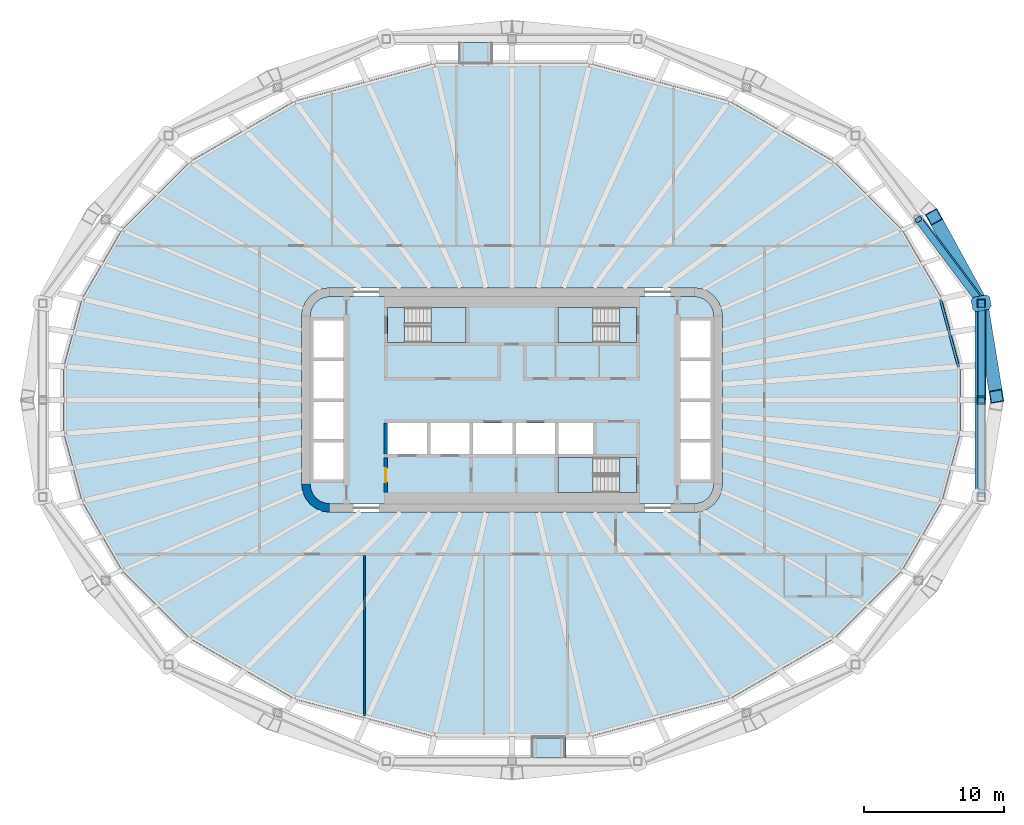
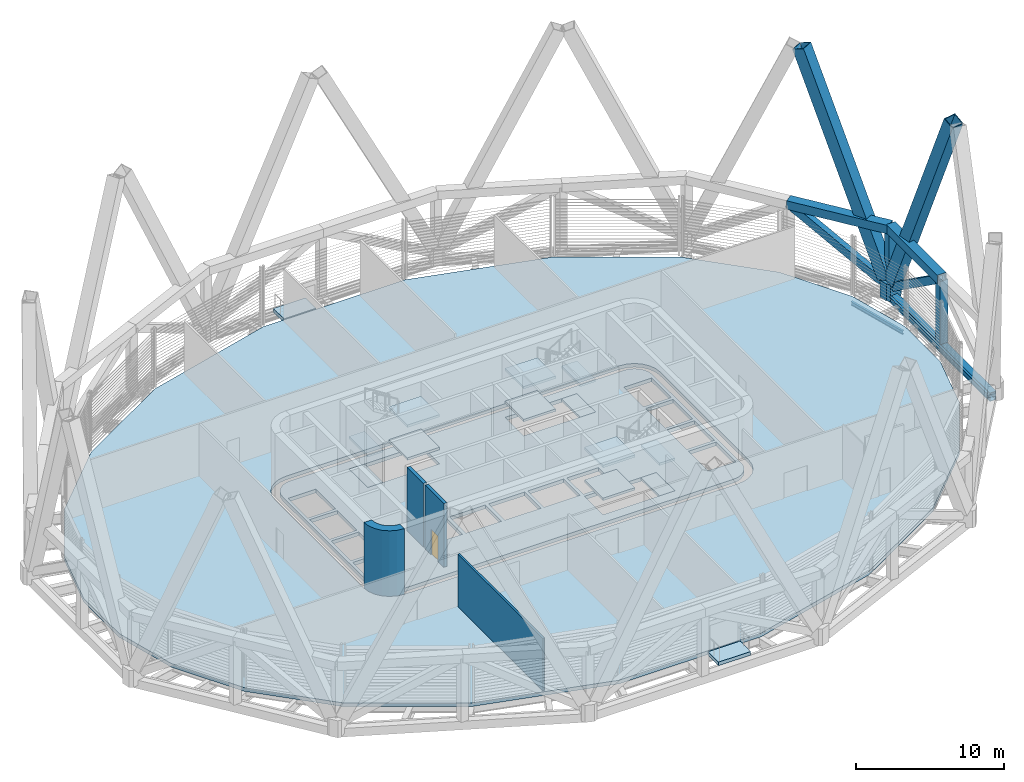
# One storey, part 5 of 18: 16 slabs, 9 members, 4 walls, 3 beams, 1 door, 1 opening, 3 elements without a shape of their own.
"""IFC4 building model written with IfcOpenShell, lengths in metres."""

from ifc_helpers import new_model, si_unit, direction, frame, frame_2d, origin, origin_2d, place, context, subcontext, project, spatial, polyline, rectangle, hollow_rectangle, i_section, outline, extrude, material, layer, layer_set, material_profile, profile_set, type_object, element, fill, aggregate, save


model = new_model("IFC4")

# Units and contexts
model_context = context("Model", 3, precision=1e-05, world=origin(), true_north=direction((0.0, 1.0)))
body_context = subcontext(model_context, "Body", "Model", "MODEL_VIEW")
ifc_project = project(units=[si_unit("LENGTHUNIT", "METRE"), si_unit("AREAUNIT", "SQUARE_METRE"), si_unit("VOLUMEUNIT", "CUBIC_METRE"), si_unit("PLANEANGLEUNIT", "RADIAN"), si_unit("MASSUNIT", "GRAM", prefix="KILO")], contexts=[model_context])

# Site, building, storey
site_placement = place(None, origin())
site = spatial("IfcSite", under=ifc_project, at=site_placement, CompositionType="ELEMENT")
building_placement = place(site_placement, origin())
building = spatial("IfcBuilding", under=site, at=building_placement, Name="Sahrelin Media Tower", CompositionType="ELEMENT")
storey_placement = place(building_placement, frame((0.0, 0.0, 96.60009765625)))
storey = spatial("IfcBuildingStorey", under=building, at=storey_placement, Name="L18", CompositionType="ELEMENT", Elevation=96.60009765625)

# Members
ifc_material_1 = material(Name="Steel S460", Category="steel")
ifc_material_profile_1 = material_profile(ifc_material_1, hollow_rectangle(XDim=0.699951171875, YDim=0.699951171875, WallThickness=0.044921875, at=origin_2d()), Name="Belt truss chord BC")
ifc_profile_set_1 = profile_set([ifc_material_profile_1], Name="Steel S460")
member_type_1 = type_object("IfcMemberType", Name="Belt truss chord BC", PredefinedType="CHORD", material=ifc_profile_set_1)
member_1_placement = place(storey_placement, frame((33.46923828125, 6.902587890625, 4.89990234375), z_axis=(-0.600031363478, 0.799976476431, 0.0), x_axis=(-0.799976476431, -0.600031363478, 0.0)))
element("IfcMember", 1, at=member_1_placement, inside=storey, type_object=member_type_1, Name="Belt truss member BT03-00-T1", PredefinedType="CHORD", context=body_context, shape_type="SweptSolid", body=[
    extrude(hollow_rectangle(XDim=0.699951171875, YDim=0.699951171875, WallThickness=0.044921875, at=origin_2d()), origin(), (0.0, 0.0, 1.0), 7.47265625),
])
member_2_placement = place(storey_placement, frame((33.46923828125, 0.0, 4.89990234375), z_axis=(0.0, 1.0, 0.0), x_axis=(-1.0, 0.0, 0.0)))
element("IfcMember", 2, at=member_2_placement, inside=storey, type_object=member_type_1, Name="Belt truss member BT03-11-T2", PredefinedType="CHORD", context=body_context, shape_type="SweptSolid", body=[
    extrude(hollow_rectangle(XDim=0.699951171875, YDim=0.699951171875, WallThickness=0.044921875, at=origin_2d()), origin(), (0.0, 0.0, 1.0), 6.902587890625),
])
ifc_material_profile_2 = material_profile(ifc_material_1, hollow_rectangle(XDim=0.5, YDim=0.60009765625, WallThickness=0.030029296875, at=origin_2d()), Name="Belt truss diagonal BD")
ifc_profile_set_2 = profile_set([ifc_material_profile_2], Name="Steel S460")
member_type_2 = type_object("IfcMemberType", Name="Belt truss diagonal BD", PredefinedType="BRACE", material=ifc_profile_set_2)
member_3_placement = place(storey_placement, frame((33.12109375, 7.366943359375, 0.38037109375), z_axis=(-0.501786672946, 0.668969906837, 0.54835152831), x_axis=(-0.799965993785, -0.600045338944, 0.0)))
element("IfcMember", 3, at=member_3_placement, inside=storey, type_object=member_type_2, Name="Belt truss member BT03-00-X1", PredefinedType="BRACE", context=body_context, shape_type="SweptSolid", body=[
    extrude(hollow_rectangle(XDim=0.5, YDim=0.60009765625, WallThickness=0.030029296875, at=origin_2d()), origin(), (0.0, 0.0, 1.0), 8.241943359375),
])
member_4_placement = place(storey_placement, frame((33.46923828125, 6.36669921875, 0.38037109375), z_axis=(0.0, -0.815432871451, 0.578851649525), x_axis=(1.0, 0.0, 0.0)))
element("IfcMember", 4, at=member_4_placement, inside=storey, type_object=member_type_2, Name="Belt truss member BT03-11-X2", PredefinedType="BRACE", context=body_context, shape_type="SweptSolid", body=[
    extrude(hollow_rectangle(XDim=0.5, YDim=0.60009765625, WallThickness=0.030029296875, at=origin_2d()), origin(), (0.0, 0.0, 1.0), 7.807861328125),
])
ifc_material_profile_3 = material_profile(ifc_material_1, hollow_rectangle(XDim=0.60009765625, YDim=0.60009765625, WallThickness=0.034912109375, at=origin_2d()), Name="Belt truss post BP")
ifc_profile_set_3 = profile_set([ifc_material_profile_3], Name="Steel S460")
member_type_3 = type_object("IfcMemberType", Name="Belt truss post BP", PredefinedType="POST", material=ifc_profile_set_3)
member_5_placement = place(storey_placement, frame((33.46923828125, 6.902587890625, 0.699951171875), z_axis=(0.0, 0.0, 1.0), x_axis=(1.0, 0.0, 0.0)))
element("IfcMember", 5, at=member_5_placement, inside=storey, type_object=member_type_3, Name="Belt truss member BT03-00-P0", PredefinedType="POST", context=body_context, shape_type="SweptSolid", body=[
    extrude(hollow_rectangle(XDim=0.60009765625, YDim=0.60009765625, WallThickness=0.034912109375, at=origin_2d()), origin(), (0.0, 0.0, 1.0), 4.199951171875),
])
member_6_placement = place(storey_placement, frame((33.46923828125, 0.0, -0.320068359375), z_axis=(0.0, 0.0, 1.0), x_axis=(1.0, 0.0, 0.0)))
element("IfcMember", 6, at=member_6_placement, inside=storey, type_object=member_type_3, Name="Belt truss member BT03-11-P1", PredefinedType="POST", context=body_context, shape_type="SweptSolid", body=[
    extrude(hollow_rectangle(XDim=0.60009765625, YDim=0.60009765625, WallThickness=0.034912109375, at=origin_2d()), origin(), (0.0, 0.0, 1.0), 5.219970703125),
])
ifc_material_profile_4 = material_profile(ifc_material_1, hollow_rectangle(XDim=0.949951171875, YDim=0.949951171875, WallThickness=0.054931640625, at=origin_2d()), Name="Diagrid diagonal DG2")
ifc_profile_set_4 = profile_set([ifc_material_profile_4], Name="Steel S460")
member_type_4 = type_object("IfcMemberType", Name="Diagrid diagonal DG2", PredefinedType="BRACE", material=ifc_profile_set_4)
member_7_placement = place(storey_placement, frame((33.512939453125, 6.63427734375, 0.699951171875), z_axis=(0.058262838687, -0.357459651471, 0.932109456662), x_axis=(0.986975841171, 0.160868545541, 0.0)))
element("IfcMember", 7, at=member_7_placement, inside=storey, type_object=member_type_4, Name="Diagrid diagonal D03-00", PredefinedType="BRACE", context=body_context, shape_type="SweptSolid", body=[
    extrude(hollow_rectangle(XDim=0.949951171875, YDim=0.949951171875, WallThickness=0.054931640625, at=origin_2d()), origin(), (0.0, 0.0, 1.0), 17.808837890625),
])
member_8_placement = place(storey_placement, frame((33.332763671875, 7.152099609375, 0.699951171875), z_axis=(-0.180665652257, 0.329989397727, 0.926534899225), x_axis=(-0.877144222049, -0.480227043935, 0.0)))
element("IfcMember", 8, at=member_8_placement, inside=storey, type_object=member_type_4, Name="Diagrid diagonal D03-01", PredefinedType="BRACE", context=body_context, shape_type="SweptSolid", body=[
    extrude(hollow_rectangle(XDim=0.949951171875, YDim=0.949951171875, WallThickness=0.054931640625, at=origin_2d()), origin(), (0.0, 0.0, 1.0), 17.916015625),
])
ifc_material_profile_5 = material_profile(ifc_material_1, outline(polyline([(0.47509765625, -0.52490234375), (0.675048828125, -0.324951171875), (0.675048828125, 0.324951171875), (0.47509765625, 0.52490234375), (-0.47509765625, 0.52490234375), (-0.675048828125, 0.324951171875), (-0.675048828125, -0.324951171875), (-0.47509765625, -0.52490234375), (0.47509765625, -0.52490234375)])), Name="Diagrid node block 1350")
ifc_profile_set_5 = profile_set([ifc_material_profile_5], Name="Steel S460")
member_type_5 = type_object("IfcMemberType", Name="Diagrid node block 1350", PredefinedType="USERDEFINED", material=ifc_profile_set_5)
member_9_placement = place(storey_placement, frame((33.46923828125, 6.902587890625, -0.7001953125), z_axis=(0.0, 0.0, 1.0), x_axis=(0.979387770926, 0.201989094163, 0.0)))
element("IfcMember", 9, at=member_9_placement, inside=storey, type_object=member_type_5, Name="Diagrid node N03-00", ObjectType="NODE", PredefinedType="USERDEFINED", context=body_context, shape_type="SweptSolid", body=[
    extrude(outline(polyline([(0.47509765625, -0.52490234375), (0.675048828125, -0.324951171875), (0.675048828125, 0.324951171875), (0.47509765625, 0.52490234375), (-0.47509765625, 0.52490234375), (-0.675048828125, 0.324951171875), (-0.675048828125, -0.324951171875), (-0.47509765625, -0.52490234375), (0.47509765625, -0.52490234375)])), origin(), (0.0, 0.0, 1.0), 1.400146484375),
])

# Beams
ifc_material_profile_6 = material_profile(ifc_material_1, hollow_rectangle(XDim=0.5, YDim=0.699951171875, WallThickness=0.034912109375, at=origin_2d()), Name="Diagrid ring beam RB2")
ifc_profile_set_6 = profile_set([ifc_material_profile_6], Name="Steel S460")
beam_type_1 = type_object("IfcBeamType", Name="Diagrid ring beam RB2", PredefinedType="BEAM", material=ifc_profile_set_6)
beam_1_placement = place(storey_placement, frame((33.46923828125, -6.902587890625, -0.650146484375), z_axis=(0.0, 1.0, 0.0), x_axis=(-1.0, 0.0, 0.0)))
element("IfcBeam", 10, at=beam_1_placement, inside=storey, type_object=beam_type_1, Name="Diagrid ring beam RB03-11", PredefinedType="BEAM", context=body_context, shape_type="SweptSolid", body=[
    extrude(hollow_rectangle(XDim=0.5, YDim=0.699951171875, WallThickness=0.034912109375, at=origin_2d()), origin(), (0.0, 0.0, 1.0), 13.80517578125),
])
ifc_material_2 = material(Name="Steel S355", Category="steel")
ifc_material_profile_7 = material_profile(ifc_material_2, i_section(OverallWidth=0.1650390625, OverallDepth=0.303466796875, WebThickness=0.006103515625, FlangeThickness=0.01025390625, FilletRadius=0.0087890625, at=origin_2d()), Name="UB 305x165x40")
ifc_profile_set_7 = profile_set([ifc_material_profile_7], Name="Steel S355")
beam_type_2 = type_object("IfcBeamType", Name="Edge beam EB2", PredefinedType="BEAM", material=ifc_profile_set_7)
beam_2_placement = place(storey_placement, frame((30.564453125, 7.150390625, -0.451904296875), z_axis=(0.258792983491, -0.9659328091, 0.0), x_axis=(0.9659328091, 0.258792983491, 0.0)))
element("IfcBeam", 11, at=beam_2_placement, inside=storey, type_object=beam_type_2, Name="Edge beam L18-24", PredefinedType="BEAM", context=body_context, shape_type="SweptSolid", body=[
    extrude(i_section(OverallWidth=0.1650390625, OverallDepth=0.303466796875, WebThickness=0.006103515625, FlangeThickness=0.01025390625, FilletRadius=0.0087890625, at=origin_2d()), origin(), (0.0, 0.0, 1.0), 4.932861328125),
])
ifc_material_profile_8 = material_profile(ifc_material_2, i_section(OverallWidth=0.1904296875, OverallDepth=0.45703125, WebThickness=0.009033203125, FlangeThickness=0.014404296875, FilletRadius=0.01025390625, at=origin_2d()), Name="UB 457x191x74")
ifc_profile_set_8 = profile_set([ifc_material_profile_8], Name="Steel S355")
beam_type_3 = type_object("IfcBeamType", Name="Tie chord TC5", PredefinedType="BEAM", material=ifc_profile_set_8)
beam_3_placement = place(storey_placement, frame((33.119140625, 6.785888671875, -0.528564453125), z_axis=(0.0, -1.0, 0.0), x_axis=(1.0, 0.0, 0.0)))
element("IfcBeam", 12, at=beam_3_placement, inside=storey, type_object=beam_type_3, Name="Tie chord L18-01", PredefinedType="BEAM", context=body_context, shape_type="SweptSolid", body=[
    extrude(i_section(OverallWidth=0.1904296875, OverallDepth=0.45703125, WebThickness=0.009033203125, FlangeThickness=0.014404296875, FilletRadius=0.01025390625, at=origin_2d()), origin(), (0.0, 0.0, 1.0), 13.57177734375),
])

# Slabs
ifc_material_3 = material(Name="Concrete C40/50", Category="concrete")
ifc_layer_1 = layer(ifc_material_3, 0.300048828125)
ifc_layer_set_1 = layer_set([ifc_layer_1], Name="Composite floor slab 300")
slab_type_1 = type_object("IfcSlabType", Name="Composite floor slab 300", PredefinedType="FLOOR", material=ifc_layer_set_1)
placement_1 = place(storey_placement, frame((0.0, 0.0, -0.300048828125)))
element("IfcSlab", 13, at=placement_1, inside=storey, type_object=slab_type_1, Name="Floor slab L18", PredefinedType="FLOOR", context=body_context, shape_type="SweptSolid", body=[
    extrude(outline(polyline([(31.974853515625, -2.388671875), (31.974853515625, 2.388671875), (30.681884765625, 7.214599609375), (27.839111328125, 12.13818359375), (22.955078125, 17.022216796875), (15.5, 21.326416015625), (5.536865234375, 23.99609375), (-5.536865234375, 23.99609375), (-15.5, 21.326416015625), (-22.955078125, 17.022216796875), (-27.839111328125, 12.13818359375), (-30.681884765625, 7.214599609375), (-31.974853515625, 2.388671875), (-31.974853515625, -2.388671875), (-30.681884765625, -7.214599609375), (-27.839111328125, -12.13818359375), (-22.955078125, -17.022216796875), (-15.5, -21.326416015625), (-5.536865234375, -23.99609375), (5.536865234375, -23.99609375), (15.5, -21.326416015625), (22.955078125, -17.022216796875), (27.839111328125, -12.13818359375), (30.681884765625, -7.214599609375), (31.974853515625, -2.388671875)]), holes=[polyline([(14.931884765625, 6.517578125), (15.0, 6.0), (15.0, -6.0), (14.931884765625, -6.517578125), (14.732177734375, -7.0), (14.414306640625, -7.414306640625), (14.0, -7.732177734375), (13.517578125, -7.931884765625), (13.0, -8.0), (-13.0, -8.0), (-13.517578125, -7.931884765625), (-14.0, -7.732177734375), (-14.414306640625, -7.414306640625), (-14.732177734375, -7.0), (-14.931884765625, -6.517578125), (-15.0, -6.0), (-15.0, 6.0), (-14.931884765625, 6.517578125), (-14.732177734375, 7.0), (-14.414306640625, 7.414306640625), (-14.0, 7.732177734375), (-13.517578125, 7.931884765625), (-13.0, 8.0), (13.0, 8.0), (13.517578125, 7.931884765625), (14.0, 7.732177734375), (14.414306640625, 7.414306640625), (14.732177734375, 7.0), (14.931884765625, 6.517578125)])]), origin(), (0.0, 0.0, 1.0), 0.300048828125),
])
ifc_layer_2 = layer(ifc_material_3, 0.300048828125)
ifc_layer_set_2 = layer_set([ifc_layer_2], Name="Core floor slab 300")
slab_type_2 = type_object("IfcSlabType", Name="Core floor slab 300", PredefinedType="FLOOR", material=ifc_layer_set_2)
element("IfcSlab", 14, at=placement_1, inside=storey, type_object=slab_type_2, Name="Core floor", PredefinedType="FLOOR", context=body_context, shape_type="SweptSolid", body=[
    extrude(outline(polyline([(-14.347412109375, 6.361083984375), (-14.39990234375, 5.960693359375), (-14.39990234375, -5.960693359375), (-14.347412109375, -6.361083984375), (-14.2080078125, -6.697509765625), (-13.986328125, -6.986328125), (-13.697509765625, -7.2080078125), (-13.361083984375, -7.347412109375), (-12.960693359375, -7.39990234375), (12.960693359375, -7.39990234375), (13.361083984375, -7.347412109375), (13.697509765625, -7.2080078125), (13.986328125, -6.986328125), (14.2080078125, -6.697509765625), (14.347412109375, -6.361083984375), (14.39990234375, -5.960693359375), (14.39990234375, 5.960693359375), (14.347412109375, 6.361083984375), (14.2080078125, 6.697509765625), (13.986328125, 6.986328125), (13.697509765625, 7.2080078125), (13.361083984375, 7.347412109375), (12.960693359375, 7.39990234375), (-12.960693359375, 7.39990234375), (-13.361083984375, 7.347412109375), (-13.697509765625, 7.2080078125), (-13.986328125, 6.986328125), (-14.2080078125, 6.697509765625), (-14.347412109375, 6.361083984375)]), holes=[polyline([(-12.0, 3.02490234375), (-12.0, 5.675048828125), (-14.14990234375, 5.675048828125), (-14.14990234375, 3.02490234375), (-12.0, 3.02490234375)]), polyline([(-14.14990234375, 0.125), (-12.0, 0.125), (-12.0, 2.77490234375), (-14.14990234375, 2.77490234375), (-14.14990234375, 0.125)]), polyline([(-14.14990234375, -0.125), (-14.14990234375, -2.77490234375), (-12.0, -2.77490234375), (-12.0, -0.125), (-14.14990234375, -0.125)]), polyline([(-12.0, -3.02490234375), (-14.14990234375, -3.02490234375), (-14.14990234375, -5.675048828125), (-12.0, -5.675048828125), (-12.0, -3.02490234375)]), polyline([(14.14990234375, 3.02490234375), (14.14990234375, 5.675048828125), (12.0, 5.675048828125), (12.0, 3.02490234375), (14.14990234375, 3.02490234375)]), polyline([(12.0, 0.125), (14.14990234375, 0.125), (14.14990234375, 2.77490234375), (12.0, 2.77490234375), (12.0, 0.125)]), polyline([(12.0, -0.125), (12.0, -2.77490234375), (14.14990234375, -2.77490234375), (14.14990234375, -0.125), (12.0, -0.125)]), polyline([(14.14990234375, -3.02490234375), (12.0, -3.02490234375), (12.0, -5.675048828125), (14.14990234375, -5.675048828125), (14.14990234375, -3.02490234375)]), polyline([(-6.074951171875, -3.85009765625), (-6.074951171875, -1.64990234375), (-8.875, -1.64990234375), (-8.875, -3.85009765625), (-6.074951171875, -3.85009765625)]), polyline([(-5.824951171875, -3.85009765625), (-3.02490234375, -3.85009765625), (-3.02490234375, -1.64990234375), (-5.824951171875, -1.64990234375), (-5.824951171875, -3.85009765625)]), polyline([(-2.77490234375, -1.64990234375), (-2.77490234375, -3.85009765625), (0.02490234375, -3.85009765625), (0.02490234375, -1.64990234375), (-2.77490234375, -1.64990234375)]), polyline([(3.074951171875, -1.64990234375), (0.27490234375, -1.64990234375), (0.27490234375, -3.85009765625), (3.074951171875, -3.85009765625), (3.074951171875, -1.64990234375)]), polyline([(5.77490234375, -3.85009765625), (5.77490234375, -1.64990234375), (3.324951171875, -1.64990234375), (3.324951171875, -3.85009765625), (5.77490234375, -3.85009765625)]), polyline([(-8.875, 6.60009765625), (-8.875, 4.10009765625), (-3.27490234375, 4.10009765625), (-3.27490234375, 6.60009765625), (-8.875, 6.60009765625)]), polyline([(3.27490234375, 4.10009765625), (8.875, 4.10009765625), (8.875, 6.60009765625), (3.27490234375, 6.60009765625), (3.27490234375, 4.10009765625)]), polyline([(3.27490234375, -4.10009765625), (3.27490234375, -6.60009765625), (8.875, -6.60009765625), (8.875, -4.10009765625), (3.27490234375, -4.10009765625)])]), origin(), (0.0, 0.0, 1.0), 0.300048828125),
])
ifc_layer_3 = layer(ifc_material_2, 0.14990234375)
ifc_layer_set_3 = layer_set([ifc_layer_3], Name="Maintenance platform")
slab_type_3 = type_object("IfcSlabType", Name="Maintenance platform", PredefinedType="FLOOR", material=ifc_layer_set_3)
element("IfcSlab", 15, at=placement_1, inside=storey, type_object=slab_type_3, Name="Maintenance platform L18-06", PredefinedType="FLOOR", context=body_context, shape_type="SweptSolid", body=[
    extrude(outline(polyline([(-1.35009765625, 24.091064453125), (-3.85009765625, 24.091064453125), (-3.85009765625, 25.51123046875), (-1.35009765625, 25.51123046875), (-1.35009765625, 24.091064453125)])), origin(), (0.0, 0.0, 1.0), 0.300048828125),
])
element("IfcSlab", 16, at=placement_1, inside=storey, type_object=slab_type_3, Name="Maintenance platform L18-18", PredefinedType="FLOOR", context=body_context, shape_type="SweptSolid", body=[
    extrude(outline(polyline([(1.35009765625, -24.091064453125), (3.85009765625, -24.091064453125), (3.85009765625, -25.51123046875), (1.35009765625, -25.51123046875), (1.35009765625, -24.091064453125)])), origin(), (0.0, 0.0, 1.0), 0.300048828125),
])

# Stair, slabs
stair_type = type_object("IfcStairType", Name="Exit stair 1200", PredefinedType="HALF_TURN_STAIR", material=ifc_material_3)
placement_2 = place(storey_placement, origin())
stair_1 = element("IfcStair", 17, at=placement_2, inside=storey, type_object=stair_type, Name="L18 Exit stair ST1", PredefinedType="HALF_TURN_STAIR")
ifc_layer_4 = layer(ifc_material_3, 0.199951171875)
ifc_layer_set_4 = layer_set([ifc_layer_4], Name="Stair landing 200")
slab_type_4 = type_object("IfcSlabType", Name="Stair landing 200", PredefinedType="LANDING", material=ifc_layer_set_4)
placement_3 = place(storey_placement, frame((0.0, 0.0, 1.14990234375)))
slab_5 = element("IfcSlab", 18, at=placement_3, type_object=slab_type_4, Name="ST1 landing 1", PredefinedType="LANDING", context=body_context, shape_type="SweptSolid", body=[
    extrude(outline(polyline([(-5.77490234375, 4.10009765625), (-3.27490234375, 4.10009765625), (-3.27490234375, 6.60009765625), (-5.77490234375, 6.60009765625), (-5.77490234375, 4.10009765625)])), origin(), (0.0, 0.0, 1.0), 0.199951171875),
])
placement_4 = place(storey_placement, frame((0.0, 0.0, 2.5)))
slab_6 = element("IfcSlab", 19, at=placement_4, type_object=slab_type_4, Name="ST1 landing 2", PredefinedType="LANDING", context=body_context, shape_type="SweptSolid", body=[
    extrude(outline(polyline([(-8.875, 4.10009765625), (-7.675048828125, 4.10009765625), (-7.675048828125, 6.60009765625), (-8.875, 6.60009765625), (-8.875, 4.10009765625)])), origin(), (0.0, 0.0, 1.0), 0.199951171875),
])
placement_5 = place(storey_placement, frame((0.0, 0.0, 3.849853515625)))
slab_7 = element("IfcSlab", 20, at=placement_5, type_object=slab_type_4, Name="ST1 landing 3", PredefinedType="LANDING", context=body_context, shape_type="SweptSolid", body=[
    extrude(outline(polyline([(-5.77490234375, 4.10009765625), (-3.27490234375, 4.10009765625), (-3.27490234375, 6.60009765625), (-5.77490234375, 6.60009765625), (-5.77490234375, 4.10009765625)])), origin(), (0.0, 0.0, 1.0), 0.199951171875),
])
placement_6 = place(storey_placement, frame((0.0, 0.0, -0.2001953125)))
slab_8 = element("IfcSlab", 21, at=placement_6, type_object=slab_type_4, Name="ST1 landing 4", PredefinedType="LANDING", context=body_context, shape_type="SweptSolid", body=[
    extrude(outline(polyline([(-8.875, 4.10009765625), (-7.675048828125, 4.10009765625), (-7.675048828125, 6.60009765625), (-8.875, 6.60009765625), (-8.875, 4.10009765625)])), origin(), (0.0, 0.0, 1.0), 0.2001953125),
])
aggregate(stair_1, [slab_5, slab_6, slab_7, slab_8])

stair_2 = element("IfcStair", 22, at=placement_2, inside=storey, type_object=stair_type, Name="L18 Exit stair ST3", PredefinedType="HALF_TURN_STAIR")
slab_9 = element("IfcSlab", 23, at=placement_3, type_object=slab_type_4, Name="ST3 landing 1", PredefinedType="LANDING", context=body_context, shape_type="SweptSolid", body=[
    extrude(outline(polyline([(5.77490234375, 6.60009765625), (3.27490234375, 6.60009765625), (3.27490234375, 4.10009765625), (5.77490234375, 4.10009765625), (5.77490234375, 6.60009765625)])), origin(), (0.0, 0.0, 1.0), 0.199951171875),
])
slab_10 = element("IfcSlab", 24, at=placement_4, type_object=slab_type_4, Name="ST3 landing 2", PredefinedType="LANDING", context=body_context, shape_type="SweptSolid", body=[
    extrude(outline(polyline([(8.875, 6.60009765625), (7.675048828125, 6.60009765625), (7.675048828125, 4.10009765625), (8.875, 4.10009765625), (8.875, 6.60009765625)])), origin(), (0.0, 0.0, 1.0), 0.199951171875),
])
slab_11 = element("IfcSlab", 25, at=placement_5, type_object=slab_type_4, Name="ST3 landing 3", PredefinedType="LANDING", context=body_context, shape_type="SweptSolid", body=[
    extrude(outline(polyline([(5.77490234375, 6.60009765625), (3.27490234375, 6.60009765625), (3.27490234375, 4.10009765625), (5.77490234375, 4.10009765625), (5.77490234375, 6.60009765625)])), origin(), (0.0, 0.0, 1.0), 0.199951171875),
])
slab_12 = element("IfcSlab", 26, at=placement_6, type_object=slab_type_4, Name="ST3 landing 4", PredefinedType="LANDING", context=body_context, shape_type="SweptSolid", body=[
    extrude(outline(polyline([(8.875, 6.60009765625), (7.675048828125, 6.60009765625), (7.675048828125, 4.10009765625), (8.875, 4.10009765625), (8.875, 6.60009765625)])), origin(), (0.0, 0.0, 1.0), 0.2001953125),
])
aggregate(stair_2, [slab_9, slab_10, slab_11, slab_12])

stair_3 = element("IfcStair", 27, at=placement_2, inside=storey, type_object=stair_type, Name="L18 Exit stair ST2", PredefinedType="HALF_TURN_STAIR")
slab_13 = element("IfcSlab", 28, at=placement_3, type_object=slab_type_4, Name="ST2 landing 1", PredefinedType="LANDING", context=body_context, shape_type="SweptSolid", body=[
    extrude(outline(polyline([(5.77490234375, -4.10009765625), (3.27490234375, -4.10009765625), (3.27490234375, -6.60009765625), (5.77490234375, -6.60009765625), (5.77490234375, -4.10009765625)])), origin(), (0.0, 0.0, 1.0), 0.199951171875),
])
slab_14 = element("IfcSlab", 29, at=placement_4, type_object=slab_type_4, Name="ST2 landing 2", PredefinedType="LANDING", context=body_context, shape_type="SweptSolid", body=[
    extrude(outline(polyline([(8.875, -4.10009765625), (7.675048828125, -4.10009765625), (7.675048828125, -6.60009765625), (8.875, -6.60009765625), (8.875, -4.10009765625)])), origin(), (0.0, 0.0, 1.0), 0.199951171875),
])
slab_15 = element("IfcSlab", 30, at=placement_5, type_object=slab_type_4, Name="ST2 landing 3", PredefinedType="LANDING", context=body_context, shape_type="SweptSolid", body=[
    extrude(outline(polyline([(5.77490234375, -4.10009765625), (3.27490234375, -4.10009765625), (3.27490234375, -6.60009765625), (5.77490234375, -6.60009765625), (5.77490234375, -4.10009765625)])), origin(), (0.0, 0.0, 1.0), 0.199951171875),
])
slab_16 = element("IfcSlab", 31, at=placement_6, type_object=slab_type_4, Name="ST2 landing 4", PredefinedType="LANDING", context=body_context, shape_type="SweptSolid", body=[
    extrude(outline(polyline([(8.875, -4.10009765625), (7.675048828125, -4.10009765625), (7.675048828125, -6.60009765625), (8.875, -6.60009765625), (8.875, -4.10009765625)])), origin(), (0.0, 0.0, 1.0), 0.2001953125),
])
aggregate(stair_3, [slab_13, slab_14, slab_15, slab_16])

# Walls
ifc_material_4 = material(Name="Concrete C60/75", Category="concrete")
ifc_layer_5 = layer(ifc_material_4, 0.60009765625)
ifc_layer_set_5 = layer_set([ifc_layer_5], Name="Core wall 600")
wall_type_1 = type_object("IfcWallType", Name="Core wall 600", PredefinedType="SHEAR", material=ifc_layer_set_5)
element("IfcWall", 32, at=placement_2, inside=storey, type_object=wall_type_1, Name="Core wall corner SW L18", PredefinedType="SHEAR", context=body_context, shape_type="SweptSolid", body=[
    extrude(outline(polyline([(-13.0, -8.0), (-13.0, -7.394775390625), (-13.361083984375, -7.347412109375), (-13.697509765625, -7.2080078125), (-13.986328125, -6.986328125), (-14.2080078125, -6.697509765625), (-14.347412109375, -6.361083984375), (-14.394775390625, -6.0), (-15.0, -6.0), (-14.931884765625, -6.517578125), (-14.732177734375, -7.0), (-14.414306640625, -7.414306640625), (-14.0, -7.732177734375), (-13.517578125, -7.931884765625), (-13.0, -8.0)])), origin(), (0.0, 0.0, 1.0), 5.39990234375),
])
ifc_material_5 = material(Name="Fire-rated gypsum board partition")
ifc_layer_6 = layer(ifc_material_5, 0.14990234375)
ifc_layer_set_6 = layer_set([ifc_layer_6], Name="Fire-rated partition 150")
wall_type_2 = type_object("IfcWallType", Name="Fire-rated partition 150", PredefinedType="PARTITIONING", material=ifc_layer_set_6)
wall_2_placement = place(storey_placement, frame((-10.53125, -11.074951171875, 0.0), z_axis=(0.0, 0.0, 1.0), x_axis=(0.0, -1.0, 0.0)))
element("IfcWall", 33, at=wall_2_placement, inside=storey, type_object=wall_type_2, Name="Wall", PredefinedType="PARTITIONING", context=body_context, shape_type="SweptSolid", body=[
    extrude(rectangle(XDim=11.4482421875, YDim=0.14990234375, at=frame_2d((5.72412109375, 0.0))), origin(), (0.0, 0.0, 1.0), 4.326904296875),
])

# Wall, opening, door
ifc_layer_7 = layer(ifc_material_5, 0.25)
ifc_layer_set_7 = layer_set([ifc_layer_7], Name="Firefighting lobby wall 250")
wall_type_3 = type_object("IfcWallType", Name="Firefighting lobby wall 250", PredefinedType="PARTITIONING", material=ifc_layer_set_7)
wall_3_placement = place(storey_placement, frame((-9.0, -6.60009765625, 0.0), z_axis=(0.0, 0.0, 1.0), x_axis=(0.0, 1.0, 0.0)))
wall_3 = element("IfcWall", 34, at=wall_3_placement, inside=storey, type_object=wall_type_3, Name="Core wall", PredefinedType="PARTITIONING", context=body_context, shape_type="SweptSolid", body=[
    extrude(rectangle(XDim=2.5, YDim=0.25, at=frame_2d((1.25, 0.0))), origin(), (0.0, 0.0, 1.0), 5.25),
])
opening_placement = place(wall_3_placement, frame((0.75, 0.0, 0.0)))
opening = element("IfcOpeningElement", 35, at=opening_placement, cuts=wall_3, Name="Opening L18-D04", PredefinedType="OPENING", context=body_context, shape_type="SweptSolid", body=[
    extrude(rectangle(XDim=1.0, YDim=2.10009765625, at=frame_2d((0.5, 1.050048828125))), frame((0.0, 0.125, 0.0), z_axis=(0.0, -1.0, 0.0), x_axis=(1.0, 0.0, 0.0)), (0.0, 0.0, 1.0), 0.25),
])
ifc_material_6 = material(Name="Steel fire door leaf", Category="steel")
door_type = type_object("IfcDoorType", Name="Firefighting lobby door 1000 x 2100 EI 120", OperationType="NOTDEFINED", PredefinedType="DOOR", material=ifc_material_6)
door_placement = place(opening_placement, origin())
door = element("IfcDoor", 36, at=door_placement, inside=storey, type_object=door_type, Name="Firefighting lobby door", OperationType="SINGLE_SWING_LEFT", OverallHeight=2.10009765625, OverallWidth=1.0, PredefinedType="DOOR", context=body_context, shape_type="SweptSolid", body=[
    extrude(rectangle(XDim=1.0, YDim=2.10009765625, at=frame_2d((0.5, 1.050048828125))), frame((0.0, 0.02490234375, 0.0), z_axis=(0.0, -1.0, 0.0), x_axis=(1.0, 0.0, 0.0)), (0.0, 0.0, 1.0), 0.050048828125),
])
fill(opening, door)

# Wall
ifc_layer_8 = layer(ifc_material_4, 0.25)
ifc_layer_set_8 = layer_set([ifc_layer_8], Name="Lift shaft wall 250")
wall_type_4 = type_object("IfcWallType", Name="Lift shaft wall 250", PredefinedType="SOLIDWALL", material=ifc_layer_set_8)
wall_4_placement = place(storey_placement, frame((-9.0, -3.85009765625, 0.0), z_axis=(0.0, 0.0, 1.0), x_axis=(0.0, 1.0, 0.0)))
element("IfcWall", 37, at=wall_4_placement, inside=storey, type_object=wall_type_4, Name="Lift shaft wall", PredefinedType="SOLIDWALL", context=body_context, shape_type="SweptSolid", body=[
    extrude(rectangle(XDim=2.2001953125, YDim=0.25, at=frame_2d((1.10009765625, 0.0))), origin(), (0.0, 0.0, 1.0), 5.25),
])

save(model, "model.ifc")
